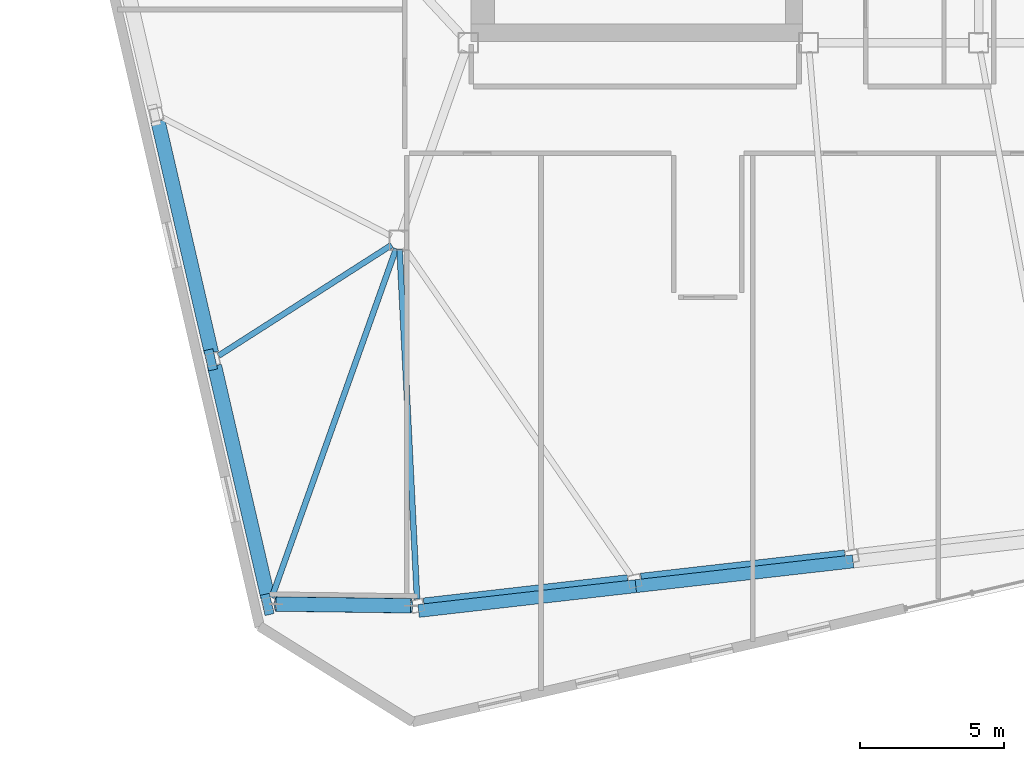
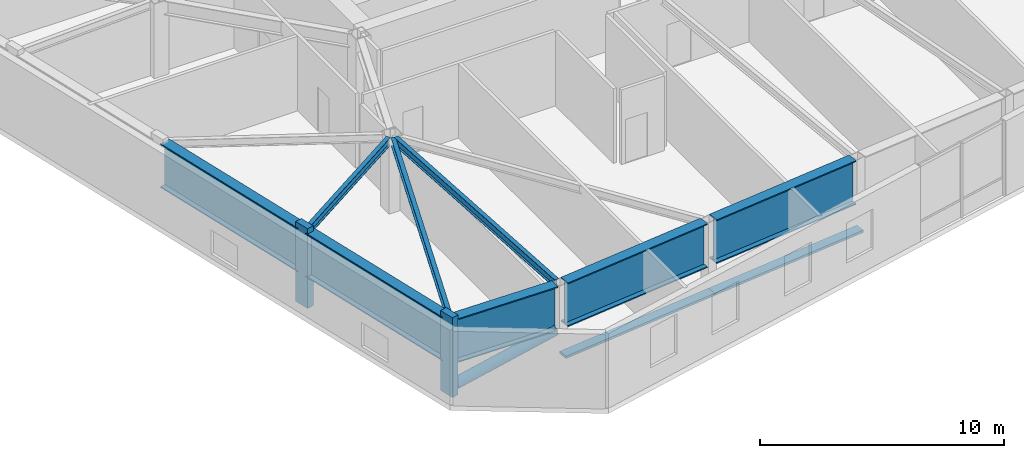
# One storey, part 4 of 23: 8 beams, 5 members.
"""IFC4 building model written with IfcOpenShell, lengths in metres."""

from ifc_helpers import new_model, si_unit, direction, frame, origin, origin_2d, place, context, subcontext, project, spatial, rectangle, hollow_circle, i_section, extrude, material, material_profile, profile_set, type_object, element, save


model = new_model("IFC4")

# Units and contexts
model_context = context("Model", 3, precision=1e-05, world=origin(), true_north=direction((0.0, 1.0)))
body_context = subcontext(model_context, "Body", "Model", "MODEL_VIEW")
ifc_project = project(units=[si_unit("LENGTHUNIT", "METRE"), si_unit("AREAUNIT", "SQUARE_METRE"), si_unit("VOLUMEUNIT", "CUBIC_METRE"), si_unit("PLANEANGLEUNIT", "RADIAN"), si_unit("MASSUNIT", "GRAM", prefix="KILO")], contexts=[model_context])

# Site, building, storey
site_placement = place(None, origin())
site = spatial("IfcSite", under=ifc_project, at=site_placement, CompositionType="ELEMENT")
building_placement = place(site_placement, origin())
building = spatial("IfcBuilding", under=site, at=building_placement, Name="Tavrogorsk Clinical Tower", CompositionType="ELEMENT")
storey_placement = place(building_placement, frame((0.0, 0.0, 305.0)))
storey = spatial("IfcBuildingStorey", under=building, at=storey_placement, Name="L71", CompositionType="ELEMENT", Elevation=305.0)

# Members
ifc_material_1 = material(Name="Anodised aluminium alloy AW-6063", Category="aluminium")
ifc_material_profile_1 = material_profile(ifc_material_1, rectangle(XDim=0.449951171875, YDim=0.1201171875, at=origin_2d()), Name="ALU-SUNSHADE-450x120")
ifc_profile_set_1 = profile_set([ifc_material_profile_1], Name="Anodised aluminium alloy AW-6063")
member_type_1 = type_object("IfcMemberType", Name="ChicagoSunshade_450x120", PredefinedType="USERDEFINED", material=ifc_profile_set_1)
member_1_placement = place(storey_placement, frame((-23.826416015625, -26.061279296875, 0.179931640625), z_axis=(0.993572551544, 0.113197106051, 0.0), x_axis=(-0.113197106051, 0.993572551544, 0.0)))
element("IfcMember", 1, at=member_1_placement, inside=storey, type_object=member_type_1, Name="L71 South Aluminium Sunshade S1", ObjectType="SUNSHADE", PredefinedType="USERDEFINED", context=body_context, shape_type="SweptSolid", body=[
    extrude(rectangle(XDim=0.449951171875, YDim=0.1201171875, at=origin_2d()), origin(), (0.0, 0.0, 1.0), 7.58544921875),
])
member_2_placement = place(storey_placement, frame((-16.289794921875, -25.20263671875, 0.179931640625), z_axis=(0.99357213911, 0.113200726076, 0.0), x_axis=(-0.113200726076, 0.99357213911, 0.0)))
element("IfcMember", 2, at=member_2_placement, inside=storey, type_object=member_type_1, Name="L71 South Aluminium Sunshade S2", ObjectType="SUNSHADE", PredefinedType="USERDEFINED", context=body_context, shape_type="SweptSolid", body=[
    extrude(rectangle(XDim=0.449951171875, YDim=0.1201171875, at=origin_2d()), origin(), (0.0, 0.0, 1.0), 7.585205078125),
])
ifc_material_2 = material(Name="Structural steel S440", Category="steel")
ifc_material_profile_2 = material_profile(ifc_material_2, hollow_circle(Radius=0.25390625, WallThickness=0.02001953125, at=origin_2d()), Name="CHS-508x20")
ifc_profile_set_2 = profile_set([ifc_material_profile_2], Name="Structural steel S440")
member_type_2 = type_object("IfcMemberType", Name="ExoBrace_CHS508", PredefinedType="BRACE", material=ifc_profile_set_2)
member_3_placement = place(storey_placement, frame((-28.771728515625, -25.822021484375, 0.3525390625), z_axis=(0.974076114666, -0.012658261706, 0.225866091408), x_axis=(0.01299404926, 0.999915573778, 0.0)))
element("IfcMember", 3, at=member_3_placement, inside=storey, type_object=member_type_2, Name="L71 Corner Exoskeleton Brace W5-S1", PredefinedType="BRACE", context=body_context, shape_type="SweptSolid", body=[
    extrude(hollow_circle(Radius=0.25390625, WallThickness=0.02001953125, at=origin_2d()), origin(), (0.0, 0.0, 1.0), 4.802490234375),
])

# Beams
ifc_material_3 = material(Name="Structural steel S355", Category="steel")
ifc_material_profile_3 = material_profile(ifc_material_3, i_section(OverallWidth=0.199951171875, OverallDepth=0.39990234375, WebThickness=0.010498046875, FlangeThickness=0.01611328125, at=origin_2d()), Name="B-400x200x10.5x16")
ifc_profile_set_3 = profile_set([ifc_material_profile_3], Name="Structural steel S355")
beam_type_1 = type_object("IfcBeamType", Name="FloorBeam_B400", PredefinedType="BEAM", material=ifc_profile_set_3)
beam_1_placement = place(storey_placement, frame((-24.484619140625, -13.509521484375, 3.5400390625), z_axis=(0.049857498916, -0.998756341558, 0.0), x_axis=(0.998756341558, 0.049857498916, 0.0)))
element("IfcBeam", 4, at=beam_1_placement, inside=storey, type_object=beam_type_1, Name="L71 Radial Floor Beam S1", PredefinedType="BEAM", context=body_context, shape_type="SweptSolid", body=[
    extrude(i_section(OverallWidth=0.199951171875, OverallDepth=0.39990234375, WebThickness=0.010498046875, FlangeThickness=0.01611328125, at=origin_2d()), origin(), (0.0, 0.0, 1.0), 12.15869140625),
])
beam_2_placement = place(storey_placement, frame((-24.76123046875, -13.3671875, 3.5400390625), z_axis=(-0.842332392078, -0.538958385459, 0.0), x_axis=(0.538958385459, -0.842332392078, 0.0)))
element("IfcBeam", 5, at=beam_2_placement, inside=storey, type_object=beam_type_1, Name="L71 Radial Floor Beam W4", PredefinedType="BEAM", context=body_context, shape_type="SweptSolid", body=[
    extrude(i_section(OverallWidth=0.199951171875, OverallDepth=0.39990234375, WebThickness=0.010498046875, FlangeThickness=0.01611328125, at=origin_2d()), origin(), (0.0, 0.0, 1.0), 7.123779296875),
])
beam_3_placement = place(storey_placement, frame((-24.60400390625, -13.491943359375, 3.5400390625), z_axis=(-0.335800921645, -0.941932981173, 0.0), x_axis=(0.941932981173, -0.335800921645, 0.0)))
element("IfcBeam", 6, at=beam_3_placement, inside=storey, type_object=beam_type_1, Name="L71 Radial Floor Beam W5", PredefinedType="BEAM", context=body_context, shape_type="SweptSolid", body=[
    extrude(i_section(OverallWidth=0.199951171875, OverallDepth=0.39990234375, WebThickness=0.010498046875, FlangeThickness=0.01611328125, at=origin_2d()), origin(), (0.0, 0.0, 1.0), 12.85400390625),
])

# Members
ifc_material_4 = material(Name="Precast concrete B45 with limestone cladding", Category="masonry")
ifc_material_profile_4 = material_profile(ifc_material_4, rectangle(XDim=0.320068359375, YDim=0.719970703125, at=origin_2d()), Name="LIMESTONE-FIN-320x720")
ifc_profile_set_4 = profile_set([ifc_material_profile_4], Name="Precast concrete B45 with limestone cladding")
member_type_3 = type_object("IfcMemberType", Name="LimestonePleatFin_320x720", PredefinedType="USERDEFINED", material=ifc_profile_set_4)
for number, where, z_axis, x_axis, name in (
    (7, (-31.035888671875, -17.35009765625, 0.0), (0.0, 0.0, 1.0), (0.974370064785, 0.224951054344, 0.0), "L71 W Pleated Stone Fin 3"),
    (8, (-29.07666015625, -25.8369140625, 0.0), (0.0, 0.0, 1.0), (0.974370064785, 0.224951054344, 0.0), "L71 W Pleated Stone Fin 4"),
):
    element("IfcMember", number, at=place(storey_placement, frame(where, z_axis=z_axis, x_axis=x_axis)), inside=storey, type_object=member_type_3, Name=name, ObjectType="FIN", PredefinedType="USERDEFINED", context=body_context, shape_type="SweptSolid", body=[
        extrude(rectangle(XDim=0.320068359375, YDim=0.719970703125, at=origin_2d()), origin(), (0.0, 0.0, 1.0), 4.0),
    ])

# Beams
ifc_material_5 = material(Name="Structural steel S440", Category="steel")
ifc_material_profile_5 = material_profile(ifc_material_5, i_section(OverallWidth=0.5, OverallDepth=2.199951171875, WebThickness=0.035888671875, FlangeThickness=0.054931640625, at=origin_2d()), Name="DK-2200x500x36x55")
ifc_profile_set_5 = profile_set([ifc_material_profile_5], Name="Structural steel S440")
beam_type_2 = type_object("IfcBeamType", Name="TransferGirder_DK2200", PredefinedType="USERDEFINED", material=ifc_profile_set_5)
for number, where, z_axis, x_axis, name in (
    (9, (-23.635498046875, -25.859375, 2.639892578125), (0.993572073137, 0.113201305126, 0.0), (-0.113201305126, 0.993572073137, 0.0), "L71 Perimeter Spandrel S1-S2"),
    (10, (-16.098876953125, -25.000732421875, 2.639892578125), (0.993572073137, 0.113201305126, 0.0), (-0.113201305126, 0.993572073137, 0.0), "L71 Perimeter Spandrel S2-S3"),
):
    element("IfcBeam", number, at=place(storey_placement, frame(where, z_axis=z_axis, x_axis=x_axis)), inside=storey, type_object=beam_type_2, Name=name, ObjectType="GIRDER", PredefinedType="USERDEFINED", context=body_context, shape_type="SweptSolid", body=[
        extrude(i_section(OverallWidth=0.5, OverallDepth=2.199951171875, WebThickness=0.035888671875, FlangeThickness=0.054931640625, at=origin_2d()), origin(), (0.0, 0.0, 1.0), 7.119140625),
    ])
beam_4_placement = place(storey_placement, frame((-32.864990234375, -9.072509765625, 2.639892578125), z_axis=(0.224978460613, -0.974363737144, 0.0), x_axis=(0.974363737144, 0.224978460613, 0.0)))
element("IfcBeam", 11, at=beam_4_placement, inside=storey, type_object=beam_type_2, Name="L71 Perimeter Spandrel W3-W4", ObjectType="GIRDER", PredefinedType="USERDEFINED", context=body_context, shape_type="SweptSolid", body=[
    extrude(i_section(OverallWidth=0.5, OverallDepth=2.199951171875, WebThickness=0.035888671875, FlangeThickness=0.054931640625, at=origin_2d()), origin(), (0.0, 0.0, 1.0), 8.244140625),
])
beam_5_placement = place(storey_placement, frame((-30.905517578125, -17.559326171875, 2.639892578125), z_axis=(0.224950345141, -0.974370228517, 0.0), x_axis=(0.974370228517, 0.224950345141, 0.0)))
element("IfcBeam", 12, at=beam_5_placement, inside=storey, type_object=beam_type_2, Name="L71 Perimeter Spandrel W4-W5", ObjectType="GIRDER", PredefinedType="USERDEFINED", context=body_context, shape_type="SweptSolid", body=[
    extrude(i_section(OverallWidth=0.5, OverallDepth=2.199951171875, WebThickness=0.035888671875, FlangeThickness=0.054931640625, at=origin_2d()), origin(), (0.0, 0.0, 1.0), 8.243896484375),
])
beam_6_placement = place(storey_placement, frame((-28.765625, -25.822021484375, 2.639892578125), z_axis=(0.999915131489, -0.013028039754, 0.0), x_axis=(0.013028039754, 0.999915131489, 0.0)))
element("IfcBeam", 13, at=beam_6_placement, inside=storey, type_object=beam_type_2, Name="L71 Perimeter Spandrel W5-S1", ObjectType="GIRDER", PredefinedType="USERDEFINED", context=body_context, shape_type="SweptSolid", body=[
    extrude(i_section(OverallWidth=0.5, OverallDepth=2.199951171875, WebThickness=0.035888671875, FlangeThickness=0.054931640625, at=origin_2d()), origin(), (0.0, 0.0, 1.0), 4.666259765625),
])

save(model, "model.ifc")
